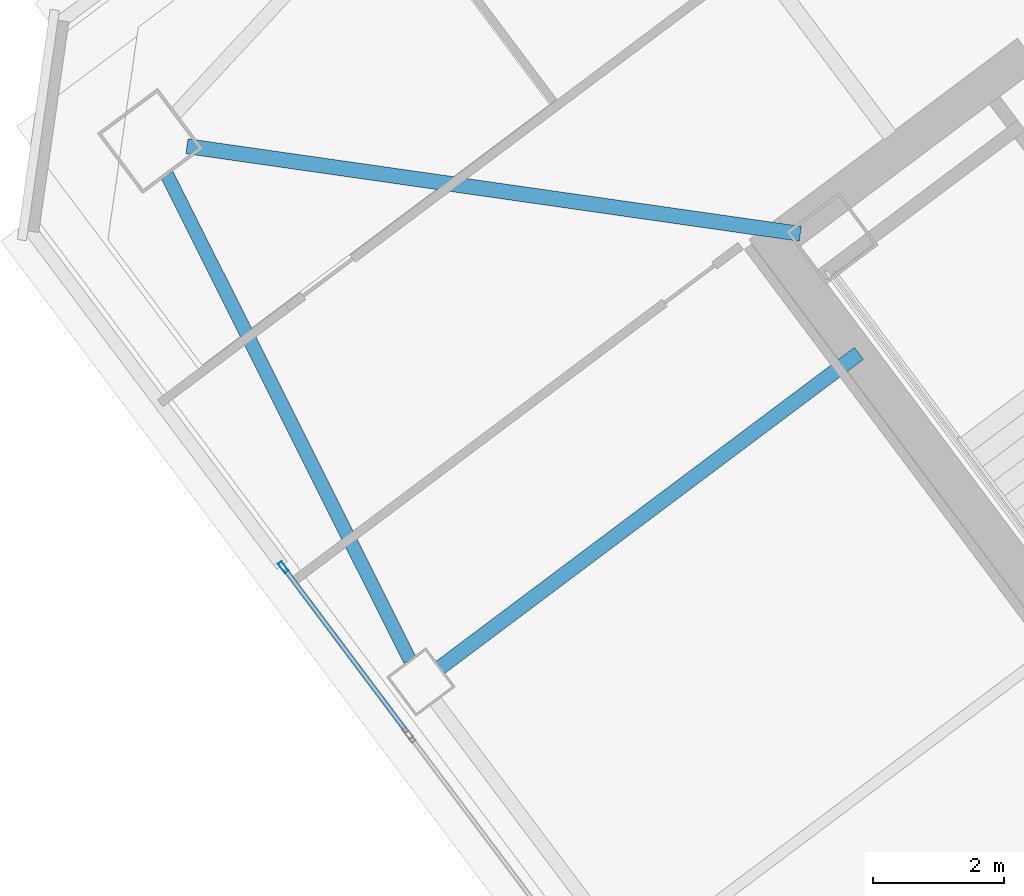
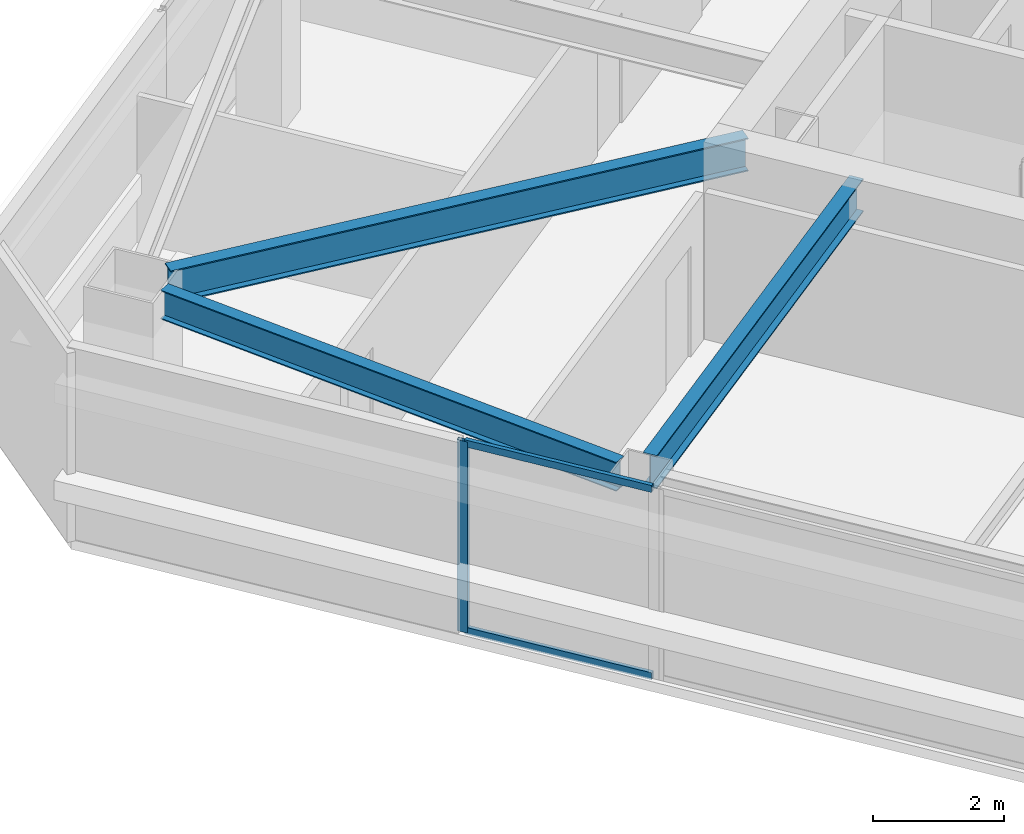
# One storey, part 21 of 42: 3 beams, 3 members, 1 element without a shape of its own.
"""IFC4 building model written with IfcOpenShell, lengths in metres."""

from ifc_helpers import new_model, si_unit, direction, frame, origin, origin_2d, place, context, subcontext, project, spatial, hollow_rectangle, i_section, extrude, material, material_profile, profile_set, type_object, element, aggregate, save


model = new_model("IFC4")

# Units and contexts
model_context = context("Model", 3, precision=1e-05, world=origin(), true_north=direction((0.0, 1.0)))
body_context = subcontext(model_context, "Body", "Model", "MODEL_VIEW")
ifc_project = project(units=[si_unit("LENGTHUNIT", "METRE"), si_unit("AREAUNIT", "SQUARE_METRE"), si_unit("VOLUMEUNIT", "CUBIC_METRE"), si_unit("PLANEANGLEUNIT", "RADIAN"), si_unit("MASSUNIT", "GRAM", prefix="KILO")], contexts=[model_context])

# Site, building, storey
site_placement = place(None, origin())
site = spatial("IfcSite", under=ifc_project, at=site_placement, CompositionType="ELEMENT")
building_placement = place(site_placement, origin())
building = spatial("IfcBuilding", under=site, at=building_placement, Name="Tashvorn Skyway Center", CompositionType="ELEMENT")
storey_placement = place(building_placement, frame((0.0, 0.0, 164.10009765625)))
storey = spatial("IfcBuildingStorey", under=building, at=storey_placement, Name="L44", CompositionType="ELEMENT", Elevation=164.10009765625)

# Beams
ifc_material_1 = material(Name="Steel ASTM A992 Grade 50", Category="steel")
ifc_material_profile_1 = material_profile(ifc_material_1, i_section(OverallWidth=0.22998046875, OverallDepth=0.616943359375, WebThickness=0.01318359375, FlangeThickness=0.022216796875, at=origin_2d()), Name="W24X94")
ifc_profile_set_1 = profile_set([ifc_material_profile_1], Name="Steel ASTM A992 Grade 50")
beam_type_1 = type_object("IfcBeamType", Name="BM-BEAM-W24X94", PredefinedType="BEAM", material=ifc_profile_set_1)
beam_1_placement = place(storey_placement, frame((94.26416015625, 34.8193359375, 3.0615234375), z_axis=(0.989950009213, -0.141417747326, 0.0), x_axis=(0.141417747326, 0.989950009213, 0.0)))
element("IfcBeam", 1, at=beam_1_placement, inside=storey, type_object=beam_type_1, Name="Tower 2 L44 Primary Floor Girder MC-NW", PredefinedType="BEAM", context=body_context, shape_type="SweptSolid", body=[
    extrude(i_section(OverallWidth=0.22998046875, OverallDepth=0.616943359375, WebThickness=0.01318359375, FlangeThickness=0.022216796875, at=origin_2d()), origin(), (0.0, 0.0, 1.0), 9.470947265625),
])
beam_2_placement = place(storey_placement, frame((98.135986328125, 26.85205078125, 3.0615234375), z_axis=(0.799992675677, 0.60000976564, 0.0), x_axis=(-0.60000976564, 0.799992675677, 0.0)))
element("IfcBeam", 2, at=beam_2_placement, inside=storey, type_object=beam_type_1, Name="Tower 2 L44 Primary Floor Girder FC-W1", PredefinedType="BEAM", context=body_context, shape_type="SweptSolid", body=[
    extrude(i_section(OverallWidth=0.22998046875, OverallDepth=0.616943359375, WebThickness=0.01318359375, FlangeThickness=0.022216796875, at=origin_2d()), origin(), (0.0, 0.0, 1.0), 8.0),
])
ifc_material_profile_2 = material_profile(ifc_material_1, i_section(OverallWidth=0.2109375, OverallDepth=0.5390625, WebThickness=0.01171875, FlangeThickness=0.018798828125, at=origin_2d()), Name="W21X73")
ifc_profile_set_2 = profile_set([ifc_material_profile_2], Name="Steel ASTM A992 Grade 50")
beam_type_2 = type_object("IfcBeamType", Name="BM-SPANDREL-W21X73", PredefinedType="SPANDREL", material=ifc_profile_set_2)
beam_3_placement = place(storey_placement, frame((93.955078125, 34.390380859375, 3.100341796875), z_axis=(0.447648438059, -0.894209637559, 0.0), x_axis=(0.894209637559, 0.447648438059, 0.0)))
element("IfcBeam", 3, at=beam_3_placement, inside=storey, type_object=beam_type_2, Name="Tower 2 L44 Spandrel Beam 10", PredefinedType="SPANDREL", context=body_context, shape_type="SweptSolid", body=[
    extrude(i_section(OverallWidth=0.2109375, OverallDepth=0.5390625, WebThickness=0.01171875, FlangeThickness=0.018798828125, at=origin_2d()), origin(), (0.0, 0.0, 1.0), 8.308349609375),
])

# Curtain wall, members
ifc_material_2 = material(Name="Thermally broken bronze-anodized aluminium 6063-T6", Category="aluminium")
curtain_wall_type = type_object("IfcCurtainWallType", Name="CW-CW-Z4", PredefinedType="NOTDEFINED", material=ifc_material_2)
curtain_wall_placement = place(storey_placement, origin())
curtain_wall = element("IfcCurtainWall", 4, at=curtain_wall_placement, inside=storey, type_object=curtain_wall_type, Name="Tower 2 L44 West Unitised Curtain Wall Glazing Group 3", PredefinedType="NOTDEFINED")
ifc_material_profile_3 = material_profile(ifc_material_2, hollow_rectangle(XDim=0.070068359375, YDim=0.179931640625, WallThickness=0.00390625, at=origin_2d()), Name="ALU-MULL-70x180")
ifc_profile_set_3 = profile_set([ifc_material_profile_3], Name="Thermally broken bronze-anodized aluminium 6063-T6")
member_type_1 = type_object("IfcMemberType", Name="CWM-CW-Z4", PredefinedType="MULLION", material=ifc_profile_set_3)
member_1_placement = place(storey_placement, frame((95.737060546875, 28.384033203125, 0.0), z_axis=(0.0, 0.0, 1.0), x_axis=(-0.799999999998, -0.600000000002, 0.0)))
member_1 = element("IfcMember", 5, at=member_1_placement, type_object=member_type_1, Name="CW-Z4 mullion 2", PredefinedType="MULLION", context=body_context, shape_type="SweptSolid", body=[
    extrude(hollow_rectangle(XDim=0.070068359375, YDim=0.179931640625, WallThickness=0.00390625, at=origin_2d()), origin(), (0.0, 0.0, 1.0), 3.5498046875),
])
ifc_material_profile_4 = material_profile(ifc_material_2, hollow_rectangle(XDim=0.070068359375, YDim=0.1298828125, WallThickness=0.00390625, at=origin_2d()), Name="ALU-TRAN-70x130")
ifc_profile_set_4 = profile_set([ifc_material_profile_4], Name="Thermally broken bronze-anodized aluminium 6063-T6")
member_type_2 = type_object("IfcMemberType", Name="CWT-CW-Z4", PredefinedType="USERDEFINED", material=ifc_profile_set_4)
member_2_placement = place(storey_placement, frame((97.617919921875, 25.8759765625, 0.034912109375), z_axis=(-0.599974797295, 0.800018901408, 0.0), x_axis=(-0.800018901408, -0.599974797295, 0.0)))
member_2 = element("IfcMember", 6, at=member_2_placement, type_object=member_type_2, Name="CW-Z4 transom 1.1", ObjectType="TRANSOM", PredefinedType="USERDEFINED", context=body_context, shape_type="SweptSolid", body=[
    extrude(hollow_rectangle(XDim=0.070068359375, YDim=0.1298828125, WallThickness=0.00390625, at=origin_2d()), origin(), (0.0, 0.0, 1.0), 3.099853515625),
])
member_3_placement = place(storey_placement, frame((97.617919921875, 25.8759765625, 3.514892578125), z_axis=(-0.599974797295, 0.800018901408, 0.0), x_axis=(-0.800018901408, -0.599974797295, 0.0)))
member_3 = element("IfcMember", 7, at=member_3_placement, type_object=member_type_2, Name="CW-Z4 transom 1.2", ObjectType="TRANSOM", PredefinedType="USERDEFINED", context=body_context, shape_type="SweptSolid", body=[
    extrude(hollow_rectangle(XDim=0.070068359375, YDim=0.1298828125, WallThickness=0.00390625, at=origin_2d()), origin(), (0.0, 0.0, 1.0), 3.099853515625),
])
aggregate(curtain_wall, [member_1, member_2, member_3])

save(model, "model.ifc")
